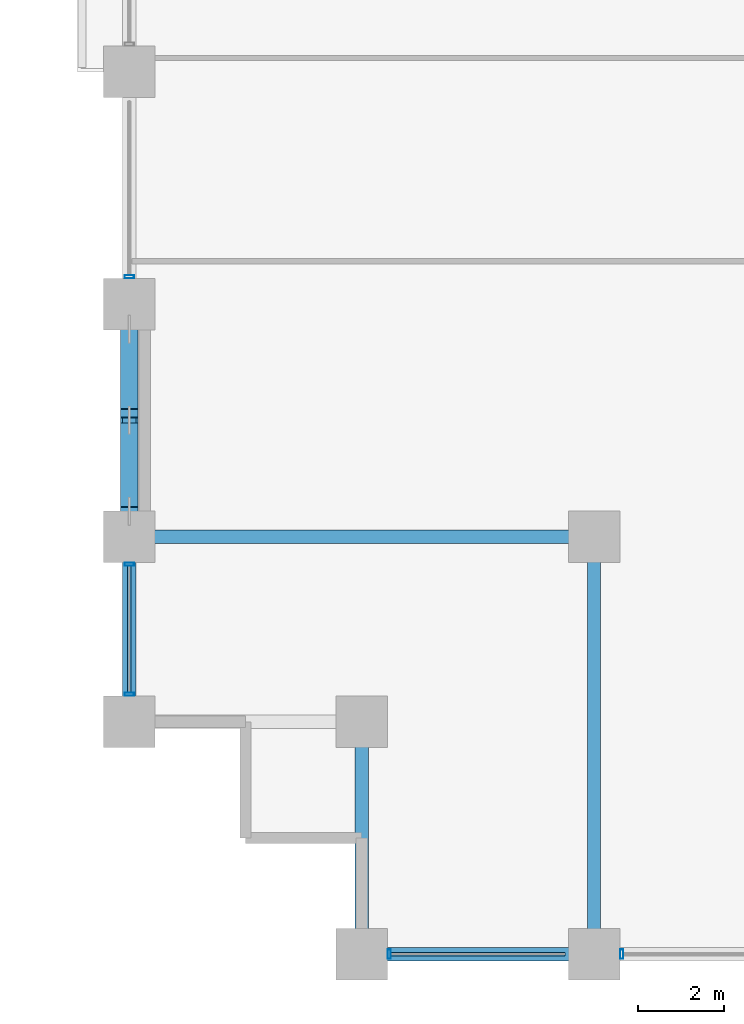
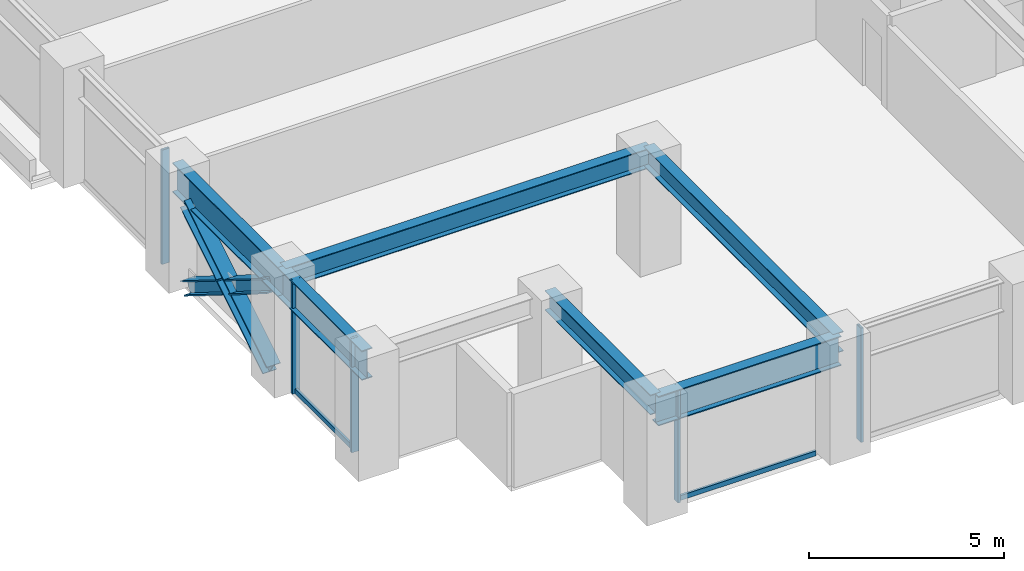
# One storey, part 2 of 28: 10 members, 6 beams, 3 elements without a shape of their own.
"""IFC4 building model written with IfcOpenShell, lengths in metres."""

from ifc_helpers import new_model, si_unit, direction, frame, origin, origin_2d, place, context, subcontext, project, spatial, hollow_rectangle, i_section, extrude, material, layer, layer_set, material_profile, profile_set, type_object, element, aggregate, save


model = new_model("IFC4")

# Units and contexts
model_context = context("Model", 3, precision=1e-05, world=origin(), true_north=direction((0.0, 1.0)))
body_context = subcontext(model_context, "Body", "Model", "MODEL_VIEW")
ifc_project = project(units=[si_unit("LENGTHUNIT", "METRE"), si_unit("AREAUNIT", "SQUARE_METRE"), si_unit("VOLUMEUNIT", "CUBIC_METRE"), si_unit("PLANEANGLEUNIT", "RADIAN"), si_unit("MASSUNIT", "GRAM", prefix="KILO")], contexts=[model_context])

# Site, building, storey
site_placement = place(None, origin())
site = spatial("IfcSite", under=ifc_project, at=site_placement, CompositionType="ELEMENT")
building_placement = place(site_placement, origin())
building = spatial("IfcBuilding", under=site, at=building_placement, Name="Surkhivell Harbour Commons", CompositionType="ELEMENT")
storey_placement = place(building_placement, frame((0.0, 0.0, 63.75)))
storey = spatial("IfcBuildingStorey", under=building, at=storey_placement, Name="L16", CompositionType="ELEMENT", Elevation=63.75)

# Beams
ifc_material_1 = material(Name="Steel S355", Category="steel")
ifc_material_profile_1 = material_profile(ifc_material_1, i_section(OverallWidth=0.306884765625, OverallDepth=0.6201171875, WebThickness=0.01416015625, FlangeThickness=0.023681640625, at=origin_2d()), Name="UB610x305x179")
ifc_profile_set_1 = profile_set([ifc_material_profile_1], Name="Steel S355")
beam_type_1 = type_object("IfcBeamType", Name="BM-GRD-610A", PredefinedType="BEAM", material=ifc_profile_set_1)
beam_1_placement = place(storey_placement, frame((-32.39990234375, -16.199951171875, 3.260009765625), z_axis=(1.0, 0.0, 0.0), x_axis=(0.0, 1.0, 0.0)))
element("IfcBeam", 1, at=beam_1_placement, inside=storey, type_object=beam_type_1, Name="L16 Floor Girder (-32.4,-16.2)", PredefinedType="BEAM", context=body_context, shape_type="SweptSolid", body=[
    extrude(i_section(OverallWidth=0.306884765625, OverallDepth=0.6201171875, WebThickness=0.01416015625, FlangeThickness=0.023681640625, at=origin_2d()), origin(), (0.0, 0.0, 1.0), 10.7998046875),
])
beam_2_placement = place(storey_placement, frame((-27.0, -25.89990234375, 3.260009765625), z_axis=(0.0, 1.0, 0.0), x_axis=(-1.0, 0.0, 0.0)))
element("IfcBeam", 2, at=beam_2_placement, inside=storey, type_object=beam_type_1, Name="L16 Floor Girder (-27.0,-25.9)", PredefinedType="BEAM", context=body_context, shape_type="SweptSolid", body=[
    extrude(i_section(OverallWidth=0.306884765625, OverallDepth=0.6201171875, WebThickness=0.01416015625, FlangeThickness=0.023681640625, at=origin_2d()), origin(), (0.0, 0.0, 1.0), 5.39990234375),
])
beam_3_placement = place(storey_placement, frame((-21.60009765625, -25.89990234375, 3.260009765625), z_axis=(0.0, 1.0, 0.0), x_axis=(-1.0, 0.0, 0.0)))
element("IfcBeam", 3, at=beam_3_placement, inside=storey, type_object=beam_type_1, Name="L16 Floor Girder (-21.6,-25.9)", PredefinedType="BEAM", context=body_context, shape_type="SweptSolid", body=[
    extrude(i_section(OverallWidth=0.306884765625, OverallDepth=0.6201171875, WebThickness=0.01416015625, FlangeThickness=0.023681640625, at=origin_2d()), origin(), (0.0, 0.0, 1.0), 9.699951171875),
])
ifc_material_2 = material(Name="Steel S460", Category="steel")
ifc_material_profile_2 = material_profile(ifc_material_2, i_section(OverallWidth=0.30810546875, OverallDepth=0.927001953125, WebThickness=0.01953125, FlangeThickness=0.031982421875, at=origin_2d()), Name="UB914x305x289")
ifc_profile_set_2 = profile_set([ifc_material_profile_2], Name="Steel S460")
beam_type_2 = type_object("IfcBeamType", Name="BM-SPN-914B", PredefinedType="SPANDREL", material=ifc_profile_set_2)
beam_4_placement = place(storey_placement, frame((-32.39990234375, -20.5, 3.1064453125), z_axis=(0.0, 1.0, 0.0), x_axis=(-1.0, 0.0, 0.0)))
element("IfcBeam", 4, at=beam_4_placement, inside=storey, type_object=beam_type_2, Name="L16 Tube Spandrel (-32.4,-20.5)", PredefinedType="SPANDREL", context=body_context, shape_type="SweptSolid", body=[
    extrude(i_section(OverallWidth=0.30810546875, OverallDepth=0.927001953125, WebThickness=0.01953125, FlangeThickness=0.031982421875, at=origin_2d()), origin(), (0.0, 0.0, 1.0), 4.300048828125),
])
for number, where, z_axis, x_axis, name in (
    (5, (-32.39990234375, -16.199951171875, 3.1064453125), (0.0, 1.0, 0.0), (-1.0, 0.0, 0.0), "L16 Tube Spandrel (-32.4,-16.2)"),
    (6, (-27.0, -25.89990234375, 3.1064453125), (1.0, 0.0, 0.0), (0.0, 1.0, 0.0), "L16 Tube Spandrel (-27.0,-25.9)"),
):
    element("IfcBeam", number, at=place(storey_placement, frame(where, z_axis=z_axis, x_axis=x_axis)), inside=storey, type_object=beam_type_2, Name=name, PredefinedType="SPANDREL", context=body_context, shape_type="SweptSolid", body=[
        extrude(i_section(OverallWidth=0.30810546875, OverallDepth=0.927001953125, WebThickness=0.01953125, FlangeThickness=0.031982421875, at=origin_2d()), origin(), (0.0, 0.0, 1.0), 5.39990234375),
    ])

# Curtain wall, members
ifc_material_3 = material(Name="Anodised pale-metal aluminium and insulated glazing", Category="aluminium")
ifc_layer = layer(ifc_material_3, 0.219970703125)
ifc_layer_set = layer_set([ifc_layer], Name="Anodised pale-metal aluminium and insulated glazing")
curtain_wall_type = type_object("IfcCurtainWallType", Name="CW-SYS-Z1", PredefinedType="NOTDEFINED", material=ifc_layer_set)
curtain_wall_1_placement = place(storey_placement, origin())
curtain_wall_1 = element("IfcCurtainWall", 7, at=curtain_wall_1_placement, inside=storey, type_object=curtain_wall_type, Name="L16 Curtain Wall CW-L16-E00S1", PredefinedType="NOTDEFINED")
ifc_material_4 = material(Name="Anodised pale-metal aluminium alloy 6063-T6", Category="aluminium")
ifc_material_profile_3 = material_profile(ifc_material_4, hollow_rectangle(XDim=0.074951171875, YDim=0.219970703125, WallThickness=0.00390625, at=origin_2d()), Name="ALU-MULL-75x220")
ifc_profile_set_3 = profile_set([ifc_material_profile_3], Name="Anodised pale-metal aluminium alloy 6063-T6")
member_type_1 = type_object("IfcMemberType", Name="CWM-220", PredefinedType="MULLION", material=ifc_profile_set_3)
member_1_placement = place(storey_placement, frame((-26.360595703125, -25.89990234375, 0.0), z_axis=(0.0, 0.0, 1.0), x_axis=(1.0, 0.0, 0.0)))
member_1 = element("IfcMember", 8, at=member_1_placement, type_object=member_type_1, Name="CW-Z1 mullion 1", PredefinedType="MULLION", context=body_context, shape_type="SweptSolid", body=[
    extrude(hollow_rectangle(XDim=0.074951171875, YDim=0.219970703125, WallThickness=0.00390625, at=origin_2d()), origin(), (0.0, 0.0, 1.0), 3.570068359375),
])
member_2_placement = place(storey_placement, frame((-20.96044921875, -25.89990234375, 0.0), z_axis=(0.0, 0.0, 1.0), x_axis=(1.0, 0.0, 0.0)))
member_2 = element("IfcMember", 9, at=member_2_placement, type_object=member_type_1, Name="CW-Z1 mullion 2", PredefinedType="MULLION", context=body_context, shape_type="SweptSolid", body=[
    extrude(hollow_rectangle(XDim=0.074951171875, YDim=0.219970703125, WallThickness=0.00390625, at=origin_2d()), origin(), (0.0, 0.0, 1.0), 3.570068359375),
])

curtain_wall_2_placement = place(storey_placement, origin())
curtain_wall_2 = element("IfcCurtainWall", 10, at=curtain_wall_2_placement, inside=storey, type_object=curtain_wall_type, Name="L16 Curtain Wall CW-L16-E12R1S1", PredefinedType="NOTDEFINED")
member_3_placement = place(storey_placement, frame((-32.39990234375, -19.860595703125, 0.0), z_axis=(0.0, 0.0, 1.0), x_axis=(0.0, 1.0, 0.0)))
member_3 = element("IfcMember", 11, at=member_3_placement, type_object=member_type_1, Name="CW-Z1 mullion 1", PredefinedType="MULLION", context=body_context, shape_type="SweptSolid", body=[
    extrude(hollow_rectangle(XDim=0.074951171875, YDim=0.219970703125, WallThickness=0.00390625, at=origin_2d()), origin(), (0.0, 0.0, 1.0), 3.570068359375),
])
member_4_placement = place(storey_placement, frame((-32.39990234375, -16.839599609375, 0.0), z_axis=(0.0, 0.0, 1.0), x_axis=(0.0, 1.0, 0.0)))
member_4 = element("IfcMember", 12, at=member_4_placement, type_object=member_type_1, Name="CW-Z1 mullion 2", PredefinedType="MULLION", context=body_context, shape_type="SweptSolid", body=[
    extrude(hollow_rectangle(XDim=0.074951171875, YDim=0.219970703125, WallThickness=0.00390625, at=origin_2d()), origin(), (0.0, 0.0, 1.0), 3.570068359375),
])

# Curtain wall, member
curtain_wall_3_placement = place(storey_placement, origin())
curtain_wall_3 = element("IfcCurtainWall", 13, at=curtain_wall_3_placement, inside=storey, type_object=curtain_wall_type, Name="L16 Curtain Wall CW-L16-E12R1S2", PredefinedType="NOTDEFINED")
member_5_placement = place(storey_placement, frame((-32.39990234375, -10.160400390625, 0.0), z_axis=(0.0, 0.0, 1.0), x_axis=(0.0, 1.0, 0.0)))
member_5 = element("IfcMember", 14, at=member_5_placement, type_object=member_type_1, Name="CW-Z1 mullion 1", PredefinedType="MULLION", context=body_context, shape_type="SweptSolid", body=[
    extrude(hollow_rectangle(XDim=0.074951171875, YDim=0.219970703125, WallThickness=0.00390625, at=origin_2d()), origin(), (0.0, 0.0, 1.0), 3.570068359375),
])
aggregate(curtain_wall_3, [member_5])

# Member
ifc_material_profile_4 = material_profile(ifc_material_4, hollow_rectangle(XDim=0.074951171875, YDim=0.14990234375, WallThickness=0.00341796875, at=origin_2d()), Name="ALU-TRAN-75x150")
ifc_profile_set_4 = profile_set([ifc_material_profile_4], Name="Anodised pale-metal aluminium alloy 6063-T6")
member_type_2 = type_object("IfcMemberType", Name="CWT-150", PredefinedType="USERDEFINED", material=ifc_profile_set_4)
member_6_placement = place(storey_placement, frame((-26.322998046875, -25.89990234375, 0.074951171875), z_axis=(1.0, 0.0, 0.0), x_axis=(0.0, 1.0, 0.0)))
member_6 = element("IfcMember", 15, at=member_6_placement, type_object=member_type_2, Name="CW-Z1 transom 1.1", ObjectType="TRANSOM", PredefinedType="USERDEFINED", context=body_context, shape_type="SweptSolid", body=[
    extrude(hollow_rectangle(XDim=0.074951171875, YDim=0.14990234375, WallThickness=0.00341796875, at=origin_2d()), origin(), (0.0, 0.0, 1.0), 4.0458984375),
])

aggregate(curtain_wall_1, [member_1, member_6, member_2])

member_7_placement = place(storey_placement, frame((-32.39990234375, -19.822998046875, 0.074951171875), z_axis=(0.0, 1.0, 0.0), x_axis=(-1.0, 0.0, 0.0)))
member_7 = element("IfcMember", 16, at=member_7_placement, type_object=member_type_2, Name="CW-Z1 transom 1.1", ObjectType="TRANSOM", PredefinedType="USERDEFINED", context=body_context, shape_type="SweptSolid", body=[
    extrude(hollow_rectangle(XDim=0.074951171875, YDim=0.14990234375, WallThickness=0.00341796875, at=origin_2d()), origin(), (0.0, 0.0, 1.0), 2.946044921875),
])

aggregate(curtain_wall_2, [member_3, member_4, member_7])

# Members
ifc_material_profile_5 = material_profile(ifc_material_2, i_section(OverallWidth=0.406005859375, OverallDepth=0.416015625, WebThickness=0.026611328125, FlangeThickness=0.0390625, at=origin_2d()), Name="HD400x382")
ifc_profile_set_5 = profile_set([ifc_material_profile_5], Name="Steel S460")
member_type_3 = type_object("IfcMemberType", Name="MEM-BRC-HD382", PredefinedType="BRACE", material=ifc_profile_set_5)
member_8_placement = place(storey_placement, frame((-32.39990234375, -15.614990234375, 0.008056640625), z_axis=(0.0, 0.848432685315, 0.529303295369), x_axis=(-1.0, 0.0, 0.0)))
element("IfcMember", 17, at=member_8_placement, inside=storey, type_object=member_type_3, Name="L16 Perimeter Mega-Brace MB- 10", PredefinedType="BRACE", context=body_context, shape_type="SweptSolid", body=[
    extrude(i_section(OverallWidth=0.406005859375, OverallDepth=0.416015625, WebThickness=0.026611328125, FlangeThickness=0.0390625, at=origin_2d()), origin(), (0.0, 0.0, 1.0), 4.985595703125),
])
member_9_placement = place(storey_placement, frame((-32.39990234375, -11.385009765625, 0.008056640625), z_axis=(0.0, -0.848458555811, 0.529261824688), x_axis=(1.0, 0.0, 0.0)))
element("IfcMember", 18, at=member_9_placement, inside=storey, type_object=member_type_3, Name="L16 Perimeter Mega-Brace MB- 11", PredefinedType="BRACE", context=body_context, shape_type="SweptSolid", body=[
    extrude(i_section(OverallWidth=0.406005859375, OverallDepth=0.416015625, WebThickness=0.026611328125, FlangeThickness=0.0390625, at=origin_2d()), origin(), (0.0, 0.0, 1.0), 2.29296875),
])
member_10_placement = place(storey_placement, frame((-32.39990234375, -13.66943359375, 1.43310546875), z_axis=(0.0, -0.848410744023, 0.529338463958), x_axis=(1.0, 0.0, 0.0)))
element("IfcMember", 19, at=member_10_placement, inside=storey, type_object=member_type_3, Name="L16 Perimeter Mega-Brace MB- 12", PredefinedType="BRACE", context=body_context, shape_type="SweptSolid", body=[
    extrude(i_section(OverallWidth=0.406005859375, OverallDepth=0.416015625, WebThickness=0.026611328125, FlangeThickness=0.0390625, at=origin_2d()), origin(), (0.0, 0.0, 1.0), 2.293212890625),
])

save(model, "model.ifc")
